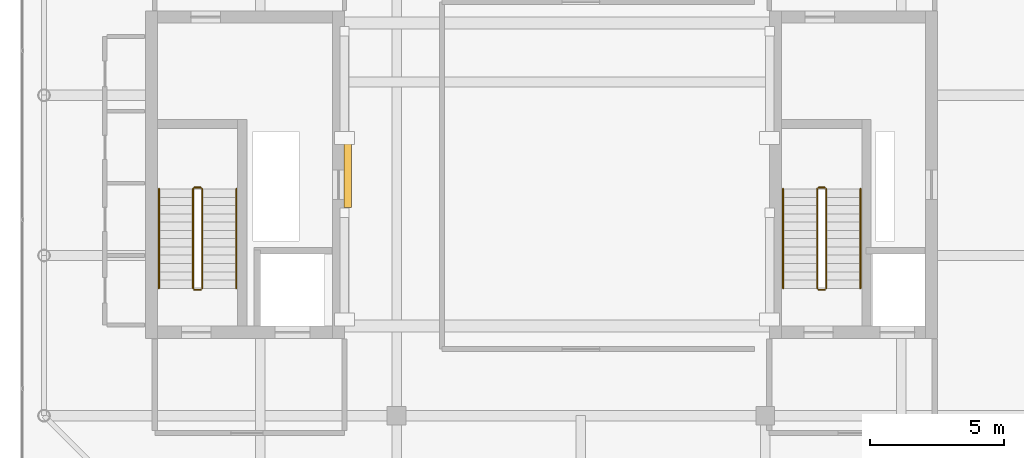
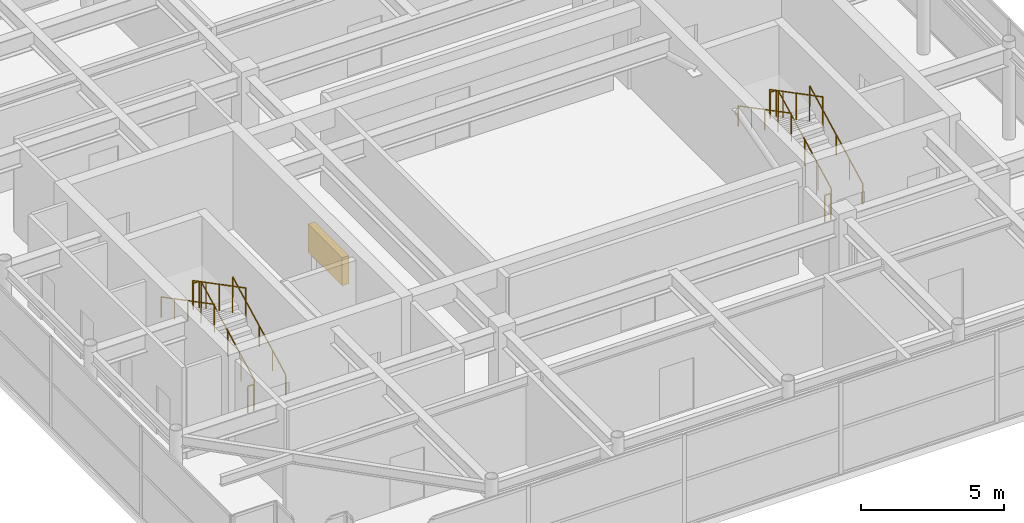
# One storey, part 33 of 33: 12 railings, 1 shading device.
"""IFC4 building model written with IfcOpenShell, lengths in metres."""

from ifc_helpers import new_model, si_unit, direction, frame, origin, origin_2d, place, context, subcontext, project, spatial, rectangle, circle, extrude, source, transform, mapped, material, layer, layer_set, type_object, element, save


model = new_model("IFC4")

# Units and contexts
model_context = context("Model", 3, precision=1e-05, world=origin(), true_north=direction((0.0, 1.0)))
body_context = subcontext(model_context, "Body", "Model", "MODEL_VIEW")
ifc_project = project(units=[si_unit("LENGTHUNIT", "METRE"), si_unit("AREAUNIT", "SQUARE_METRE"), si_unit("VOLUMEUNIT", "CUBIC_METRE"), si_unit("PLANEANGLEUNIT", "RADIAN"), si_unit("MASSUNIT", "GRAM", prefix="KILO")], contexts=[model_context])

# Site, building, storey
site_placement = place(None, origin())
site = spatial("IfcSite", under=ifc_project, at=site_placement, CompositionType="ELEMENT")
building_placement = place(site_placement, origin())
building = spatial("IfcBuilding", under=site, at=building_placement, Name="Khoralis Quay Care Tower", CompositionType="ELEMENT")
storey_placement = place(building_placement, frame((0.0, 0.0, 302.10009765625)))
storey = spatial("IfcBuildingStorey", under=building, at=storey_placement, Name="L79", CompositionType="ELEMENT", Elevation=302.10009765625)

# Railings
ifc_material_1 = material(Name="Brushed stainless steel", Category="steel")
railing_type_1 = type_object("IfcRailingType", Name="RL-GUARD-1150", PredefinedType="GUARDRAIL", material=ifc_material_1)
railing_1_placement = place(storey_placement, frame((9.820068359375, 16.77001953125, 0.161376953125)))
element("IfcRailing", 1, at=railing_1_placement, inside=storey, type_object=railing_type_1, Name="L79 ST-T1 stair guard 1", PredefinedType="GUARDRAIL", context=body_context, shape_type="SweptSolid", body=[
    extrude(circle(Radius=0.02392578125, at=origin_2d()), frame((0.0, 0.0, 1.1259765625), z_axis=(0.0, 0.886817194535, 0.462120399331), x_axis=(-1.0, 0.0, 0.0)), (0.0, 0.0, 1.0), 4.19482421875),
    extrude(circle(Radius=0.02099609375, at=origin_2d()), origin(), (0.0, 0.0, 1.0), 1.101806640625),
    extrude(circle(Radius=0.02099609375, at=origin_2d()), frame((0.0, 0.929931640625, 0.484619140625)), (0.0, 0.0, 1.0), 1.101806640625),
    extrude(circle(Radius=0.02099609375, at=origin_2d()), frame((0.0, 1.85986328125, 0.96923828125)), (0.0, 0.0, 1.0), 1.101806640625),
    extrude(circle(Radius=0.02099609375, at=origin_2d()), frame((0.0, 2.7900390625, 1.453857421875)), (0.0, 0.0, 1.0), 1.101806640625),
    extrude(circle(Radius=0.02099609375, at=origin_2d()), frame((0.0, 3.719970703125, 1.9384765625)), (0.0, 0.0, 1.0), 1.101806640625),
])
railing_2_placement = place(storey_placement, frame((9.77001953125, 20.5400390625, 2.099853515625)))
element("IfcRailing", 2, at=railing_2_placement, inside=storey, type_object=railing_type_1, Name="L79 ST-T1 stair guard 2", PredefinedType="GUARDRAIL", context=body_context, shape_type="SweptSolid", body=[
    extrude(circle(Radius=0.02392578125, at=origin_2d()), frame((0.0, 0.0, 1.1259765625), z_axis=(-1.0, 0.0, 0.0), x_axis=(0.0, -1.0, 0.0)), (0.0, 0.0, 1.0), 0.239990234375),
    extrude(circle(Radius=0.02099609375, at=origin_2d()), origin(), (0.0, 0.0, 1.0), 1.101806640625),
    extrude(circle(Radius=0.02099609375, at=origin_2d()), frame((-0.239990234375, 0.0, 0.0)), (0.0, 0.0, 1.0), 1.101806640625),
])
railing_3_placement = place(storey_placement, frame((9.47998046875, 20.489990234375, 2.261474609375)))
element("IfcRailing", 3, at=railing_3_placement, inside=storey, type_object=railing_type_1, Name="L79 ST-T1 stair guard 3", PredefinedType="GUARDRAIL", context=body_context, shape_type="SweptSolid", body=[
    extrude(circle(Radius=0.02392578125, at=origin_2d()), frame((0.0, 0.0, 1.1259765625), z_axis=(0.0, -0.886817194535, 0.462120399331), x_axis=(1.0, 0.0, 0.0)), (0.0, 0.0, 1.0), 4.19482421875),
    extrude(circle(Radius=0.02099609375, at=origin_2d()), origin(), (0.0, 0.0, 1.0), 1.101806640625),
    extrude(circle(Radius=0.02099609375, at=origin_2d()), frame((0.0, -0.929931640625, 0.484619140625)), (0.0, 0.0, 1.0), 1.101806640625),
    extrude(circle(Radius=0.02099609375, at=origin_2d()), frame((0.0, -1.85986328125, 0.96923828125)), (0.0, 0.0, 1.0), 1.101806640625),
    extrude(circle(Radius=0.02099609375, at=origin_2d()), frame((0.0, -2.7900390625, 1.453857421875)), (0.0, 0.0, 1.0), 1.101806640625),
    extrude(circle(Radius=0.02099609375, at=origin_2d()), frame((0.0, -3.719970703125, 1.9384765625)), (0.0, 0.0, 1.0), 1.101806640625),
])
railing_4_placement = place(storey_placement, frame((9.77001953125, 16.719970703125, 0.0)))
element("IfcRailing", 4, at=railing_4_placement, inside=storey, type_object=railing_type_1, Name="L79 ST-T1 stair guard 4", PredefinedType="GUARDRAIL", context=body_context, shape_type="SweptSolid", body=[
    extrude(circle(Radius=0.02392578125, at=origin_2d()), frame((0.0, 0.0, 1.1259765625), z_axis=(-1.0, 0.0, 0.0), x_axis=(0.0, -1.0, 0.0)), (0.0, 0.0, 1.0), 0.239990234375),
    extrude(circle(Radius=0.02099609375, at=origin_2d()), origin(), (0.0, 0.0, 1.0), 1.101806640625),
    extrude(circle(Radius=0.02099609375, at=origin_2d()), frame((-0.239990234375, 0.0, 0.0)), (0.0, 0.0, 1.0), 1.101806640625),
])
railing_5_placement = place(storey_placement, frame((33.18994140625, 16.77001953125, 0.161376953125)))
element("IfcRailing", 5, at=railing_5_placement, inside=storey, type_object=railing_type_1, Name="L79 ST-T2 stair guard 1", PredefinedType="GUARDRAIL", context=body_context, shape_type="SweptSolid", body=[
    extrude(circle(Radius=0.02392578125, at=origin_2d()), frame((0.0, 0.0, 1.1259765625), z_axis=(0.0, 0.886817194535, 0.462120399331), x_axis=(-1.0, 0.0, 0.0)), (0.0, 0.0, 1.0), 4.19482421875),
    extrude(circle(Radius=0.02099609375, at=origin_2d()), origin(), (0.0, 0.0, 1.0), 1.101806640625),
    extrude(circle(Radius=0.02099609375, at=origin_2d()), frame((0.0, 0.929931640625, 0.484619140625)), (0.0, 0.0, 1.0), 1.101806640625),
    extrude(circle(Radius=0.02099609375, at=origin_2d()), frame((0.0, 1.85986328125, 0.96923828125)), (0.0, 0.0, 1.0), 1.101806640625),
    extrude(circle(Radius=0.02099609375, at=origin_2d()), frame((0.0, 2.7900390625, 1.453857421875)), (0.0, 0.0, 1.0), 1.101806640625),
    extrude(circle(Radius=0.02099609375, at=origin_2d()), frame((0.0, 3.719970703125, 1.9384765625)), (0.0, 0.0, 1.0), 1.101806640625),
])
railing_6_placement = place(storey_placement, frame((33.139892578125, 20.5400390625, 2.099853515625)))
element("IfcRailing", 6, at=railing_6_placement, inside=storey, type_object=railing_type_1, Name="L79 ST-T2 stair guard 2", PredefinedType="GUARDRAIL", context=body_context, shape_type="SweptSolid", body=[
    extrude(circle(Radius=0.02392578125, at=origin_2d()), frame((0.0, 0.0, 1.1259765625), z_axis=(-1.0, 0.0, 0.0), x_axis=(0.0, -1.0, 0.0)), (0.0, 0.0, 1.0), 0.239990234375),
    extrude(circle(Radius=0.02099609375, at=origin_2d()), origin(), (0.0, 0.0, 1.0), 1.101806640625),
    extrude(circle(Radius=0.02099609375, at=origin_2d()), frame((-0.239990234375, 0.0, 0.0)), (0.0, 0.0, 1.0), 1.101806640625),
])
railing_7_placement = place(storey_placement, frame((32.85009765625, 20.489990234375, 2.261474609375)))
element("IfcRailing", 7, at=railing_7_placement, inside=storey, type_object=railing_type_1, Name="L79 ST-T2 stair guard 3", PredefinedType="GUARDRAIL", context=body_context, shape_type="SweptSolid", body=[
    extrude(circle(Radius=0.02392578125, at=origin_2d()), frame((0.0, 0.0, 1.1259765625), z_axis=(0.0, -0.886817194535, 0.462120399331), x_axis=(1.0, 0.0, 0.0)), (0.0, 0.0, 1.0), 4.19482421875),
    extrude(circle(Radius=0.02099609375, at=origin_2d()), origin(), (0.0, 0.0, 1.0), 1.101806640625),
    extrude(circle(Radius=0.02099609375, at=origin_2d()), frame((0.0, -0.929931640625, 0.484619140625)), (0.0, 0.0, 1.0), 1.101806640625),
    extrude(circle(Radius=0.02099609375, at=origin_2d()), frame((0.0, -1.85986328125, 0.96923828125)), (0.0, 0.0, 1.0), 1.101806640625),
    extrude(circle(Radius=0.02099609375, at=origin_2d()), frame((0.0, -2.7900390625, 1.453857421875)), (0.0, 0.0, 1.0), 1.101806640625),
    extrude(circle(Radius=0.02099609375, at=origin_2d()), frame((0.0, -3.719970703125, 1.9384765625)), (0.0, 0.0, 1.0), 1.101806640625),
])
railing_8_placement = place(storey_placement, frame((33.139892578125, 16.719970703125, 0.0)))
element("IfcRailing", 8, at=railing_8_placement, inside=storey, type_object=railing_type_1, Name="L79 ST-T2 stair guard 4", PredefinedType="GUARDRAIL", context=body_context, shape_type="SweptSolid", body=[
    extrude(circle(Radius=0.02392578125, at=origin_2d()), frame((0.0, 0.0, 1.1259765625), z_axis=(-1.0, 0.0, 0.0), x_axis=(0.0, -1.0, 0.0)), (0.0, 0.0, 1.0), 0.239990234375),
    extrude(circle(Radius=0.02099609375, at=origin_2d()), origin(), (0.0, 0.0, 1.0), 1.101806640625),
    extrude(circle(Radius=0.02099609375, at=origin_2d()), frame((-0.239990234375, 0.0, 0.0)), (0.0, 0.0, 1.0), 1.101806640625),
])
railing_type_2 = type_object("IfcRailingType", Name="RL-HAND-900", PredefinedType="HANDRAIL", material=ifc_material_1)
railing_9_placement = place(storey_placement, frame((11.10009765625, 16.77001953125, 0.161376953125)))
element("IfcRailing", 9, at=railing_9_placement, inside=storey, type_object=railing_type_2, Name="L79 ST-T1 stair handrail 1", PredefinedType="HANDRAIL", context=body_context, shape_type="SweptSolid", body=[
    extrude(circle(Radius=0.02392578125, at=origin_2d()), frame((0.0, 0.0, 0.8759765625), z_axis=(0.0, 0.886817194535, 0.462120399331), x_axis=(-1.0, 0.0, 0.0)), (0.0, 0.0, 1.0), 4.19482421875),
    extrude(circle(Radius=0.02099609375, at=origin_2d()), origin(), (0.0, 0.0, 1.0), 0.851806640625),
    extrude(circle(Radius=0.02099609375, at=origin_2d()), frame((0.0, 0.929931640625, 0.484619140625)), (0.0, 0.0, 1.0), 0.851806640625),
    extrude(circle(Radius=0.02099609375, at=origin_2d()), frame((0.0, 1.85986328125, 0.96923828125)), (0.0, 0.0, 1.0), 0.851806640625),
    extrude(circle(Radius=0.02099609375, at=origin_2d()), frame((0.0, 2.7900390625, 1.453857421875)), (0.0, 0.0, 1.0), 0.851806640625),
    extrude(circle(Radius=0.02099609375, at=origin_2d()), frame((0.0, 3.719970703125, 1.9384765625)), (0.0, 0.0, 1.0), 0.851806640625),
])
railing_10_placement = place(storey_placement, frame((8.199951171875, 20.489990234375, 2.261474609375)))
element("IfcRailing", 10, at=railing_10_placement, inside=storey, type_object=railing_type_2, Name="L79 ST-T1 stair handrail 2", PredefinedType="HANDRAIL", context=body_context, shape_type="SweptSolid", body=[
    extrude(circle(Radius=0.02392578125, at=origin_2d()), frame((0.0, 0.0, 0.8759765625), z_axis=(0.0, -0.886817194535, 0.462120399331), x_axis=(1.0, 0.0, 0.0)), (0.0, 0.0, 1.0), 4.19482421875),
    extrude(circle(Radius=0.02099609375, at=origin_2d()), origin(), (0.0, 0.0, 1.0), 0.851806640625),
    extrude(circle(Radius=0.02099609375, at=origin_2d()), frame((0.0, -0.929931640625, 0.484619140625)), (0.0, 0.0, 1.0), 0.851806640625),
    extrude(circle(Radius=0.02099609375, at=origin_2d()), frame((0.0, -1.85986328125, 0.96923828125)), (0.0, 0.0, 1.0), 0.851806640625),
    extrude(circle(Radius=0.02099609375, at=origin_2d()), frame((0.0, -2.7900390625, 1.453857421875)), (0.0, 0.0, 1.0), 0.851806640625),
    extrude(circle(Radius=0.02099609375, at=origin_2d()), frame((0.0, -3.719970703125, 1.9384765625)), (0.0, 0.0, 1.0), 0.851806640625),
])
railing_11_placement = place(storey_placement, frame((34.469970703125, 16.77001953125, 0.161376953125)))
element("IfcRailing", 11, at=railing_11_placement, inside=storey, type_object=railing_type_2, Name="L79 ST-T2 stair handrail 1", PredefinedType="HANDRAIL", context=body_context, shape_type="SweptSolid", body=[
    extrude(circle(Radius=0.02392578125, at=origin_2d()), frame((0.0, 0.0, 0.8759765625), z_axis=(0.0, 0.886817194535, 0.462120399331), x_axis=(-1.0, 0.0, 0.0)), (0.0, 0.0, 1.0), 4.19482421875),
    extrude(circle(Radius=0.02099609375, at=origin_2d()), origin(), (0.0, 0.0, 1.0), 0.851806640625),
    extrude(circle(Radius=0.02099609375, at=origin_2d()), frame((0.0, 0.929931640625, 0.484619140625)), (0.0, 0.0, 1.0), 0.851806640625),
    extrude(circle(Radius=0.02099609375, at=origin_2d()), frame((0.0, 1.85986328125, 0.96923828125)), (0.0, 0.0, 1.0), 0.851806640625),
    extrude(circle(Radius=0.02099609375, at=origin_2d()), frame((0.0, 2.7900390625, 1.453857421875)), (0.0, 0.0, 1.0), 0.851806640625),
    extrude(circle(Radius=0.02099609375, at=origin_2d()), frame((0.0, 3.719970703125, 1.9384765625)), (0.0, 0.0, 1.0), 0.851806640625),
])
railing_12_placement = place(storey_placement, frame((31.570068359375, 20.489990234375, 2.261474609375)))
element("IfcRailing", 12, at=railing_12_placement, inside=storey, type_object=railing_type_2, Name="L79 ST-T2 stair handrail 2", PredefinedType="HANDRAIL", context=body_context, shape_type="SweptSolid", body=[
    extrude(circle(Radius=0.02392578125, at=origin_2d()), frame((0.0, 0.0, 0.8759765625), z_axis=(0.0, -0.886817194535, 0.462120399331), x_axis=(1.0, 0.0, 0.0)), (0.0, 0.0, 1.0), 4.19482421875),
    extrude(circle(Radius=0.02099609375, at=origin_2d()), origin(), (0.0, 0.0, 1.0), 0.851806640625),
    extrude(circle(Radius=0.02099609375, at=origin_2d()), frame((0.0, -0.929931640625, 0.484619140625)), (0.0, 0.0, 1.0), 0.851806640625),
    extrude(circle(Radius=0.02099609375, at=origin_2d()), frame((0.0, -1.85986328125, 0.96923828125)), (0.0, 0.0, 1.0), 0.851806640625),
    extrude(circle(Radius=0.02099609375, at=origin_2d()), frame((0.0, -2.7900390625, 1.453857421875)), (0.0, 0.0, 1.0), 0.851806640625),
    extrude(circle(Radius=0.02099609375, at=origin_2d()), frame((0.0, -3.719970703125, 1.9384765625)), (0.0, 0.0, 1.0), 0.851806640625),
])

# Shading device
ifc_material_2 = material(Name="Brushed pale anodised aluminium", Category="aluminium")
ifc_layer = layer(ifc_material_2, 0.080078125)
ifc_layer_set = layer_set([ifc_layer], Name="Brushed pale anodised aluminium")
shading_device_type = type_object("IfcShadingDeviceType", Name="SHD-LOUVRE-300", PredefinedType="USERDEFINED", material=ifc_layer_set)
shared_shape = source(origin(), body_context, "Body", "SweptSolid", [
    extrude(rectangle(XDim=0.280029296875, YDim=2.39990234375, at=origin_2d()), origin(), (0.0, 0.0, 1.0), 1.199951171875),
])
shading_device_placement = place(storey_placement, frame((15.27001953125, 21.0, 1.60009765625), z_axis=(0.0, 0.0, 1.0), x_axis=(1.0, 0.0, 0.0)))
element("IfcShadingDevice", 13, at=shading_device_placement, inside=storey, type_object=shading_device_type, Name="L79 Lantern Acoustic Intake Louvre", ObjectType="LOUVRE", PredefinedType="USERDEFINED", context=body_context, shape_type="MappedRepresentation", body=[
    mapped(shared_shape, transform((0.0, 0.0, 0.0), scale=1.0)),
])

save(model, "model.ifc")
